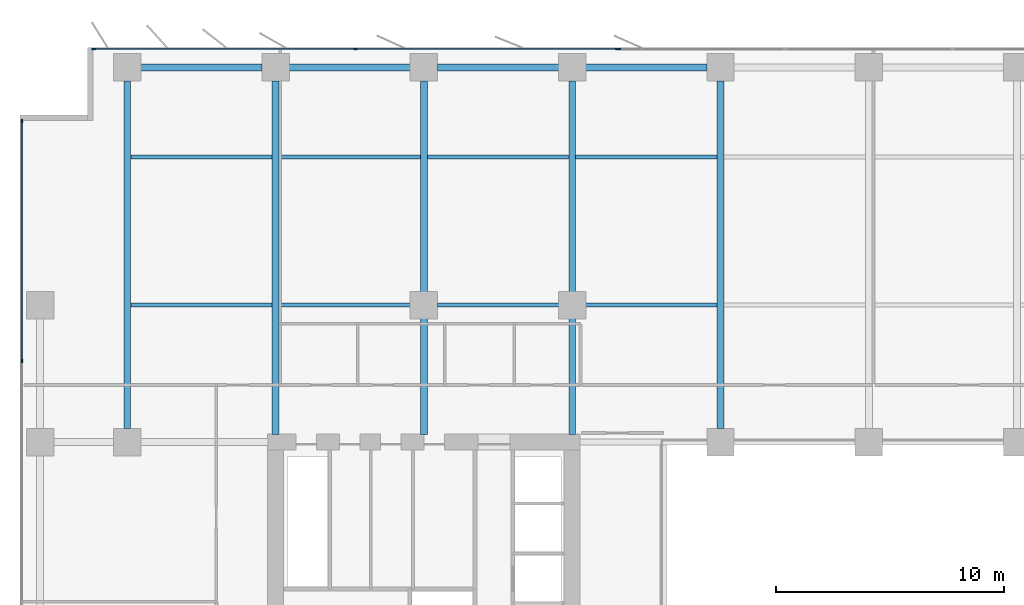
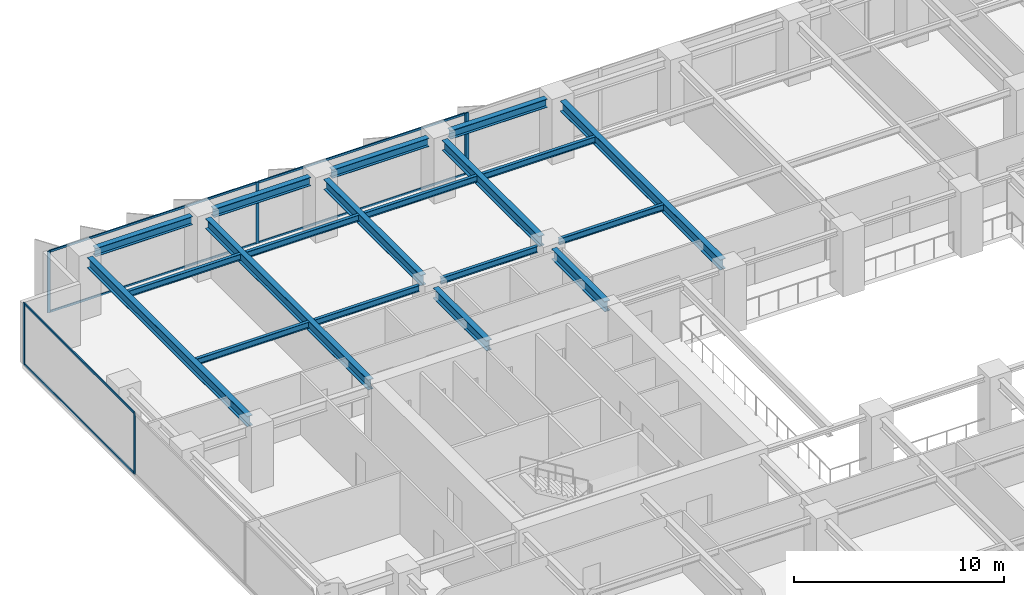
# One storey, part 7 of 20: 19 beams, 12 members, 3 elements without a shape of their own.
"""IFC4 building model written with IfcOpenShell, lengths in metres."""

import ifcopenshell
import ifcopenshell.guid

model = None  # the IFC model being written
_history = None  # IfcOwnerHistory: only IFC2X3 demands one
_inside = {}  # id of a spatial element -> (the spatial element, [elements in it])
_under = {}  # id of a project, library or spatial element -> (it, [spatial elements below it])
_declared = {}  # id of a project -> (the project, [libraries it declares])
_typed = {}  # id of a type object -> (the type object, [elements of that type])
_made_of = {}  # id of a material, layer set ... -> (it, [elements and type objects made of it])


def new_model(schema):
    """Start an empty IFC model of exactly this schema.

    Asked for "IFC4X3", IfcOpenShell would pick the latest addendum, in which some entities
    have other attributes; the version numbers below select the first issue.
    IFC2X3 requires an IfcOwnerHistory on every rooted entity: one is made here for all.
    """
    global model, _history
    if schema == "IFC4X3":
        model = ifcopenshell.file(schema_version=(4, 3, 0, 0))
    else:
        model = ifcopenshell.file(schema=schema)
    _inside.clear()
    _under.clear()
    _declared.clear()
    _typed.clear()
    _made_of.clear()
    _history = None
    if model.schema == "IFC2X3":
        org = make("IfcOrganization", Name="unknown")
        user = make(
            "IfcPersonAndOrganization",
            ThePerson=make("IfcPerson", FamilyName="unknown"),
            TheOrganization=org,
        )
        app = make(
            "IfcApplication",
            ApplicationDeveloper=org,
            Version="unknown",
            ApplicationFullName="unknown",
            ApplicationIdentifier="unknown",
        )
        _history = make(
            "IfcOwnerHistory",
            OwningUser=user,
            OwningApplication=app,
            ChangeAction="ADDED",
            CreationDate=0,
        )
    return model


def make(cls, **values):
    """One entity of the class cls with the attributes given. An attribute that is None is left unset."""
    return model.create_entity(
        cls, **{name: value for name, value in values.items() if value is not None}
    )


def rooted(cls, **values):
    """An entity with a GlobalId (a new one), such as an element, a storey or a relation."""
    return make(cls, GlobalId=ifcopenshell.guid.new(), OwnerHistory=_history, **values)


def si_unit(unit_type, name, prefix=None):
    """IfcSIUnit, for example si_unit("LENGTHUNIT", "METRE", prefix="MILLI")."""
    return make("IfcSIUnit", UnitType=unit_type, Prefix=prefix, Name=name)


def assignment(units):
    """IfcUnitAssignment: the units of a project."""
    return None if units is None else make("IfcUnitAssignment", Units=units)


def point(xyz):
    """IfcCartesianPoint."""
    return None if xyz is None else make("IfcCartesianPoint", Coordinates=xyz)


def direction(xyz):
    """IfcDirection."""
    return None if xyz is None else make("IfcDirection", DirectionRatios=xyz)


def frame(location, z_axis=None, x_axis=None):
    """IfcAxis2Placement3D, a coordinate frame: its origin and axes. An axis left out is left unset."""
    return make(
        "IfcAxis2Placement3D",
        Location=point(location),
        Axis=direction(z_axis),
        RefDirection=direction(x_axis),
    )


def frame_2d(location, x_axis=None):
    """IfcAxis2Placement2D, a coordinate frame in the plane: its origin and x axis."""
    return make(
        "IfcAxis2Placement2D", Location=point(location), RefDirection=direction(x_axis)
    )


def origin():
    """The frame at (0, 0, 0) with its axes left unset."""
    return frame((0.0, 0.0, 0.0))


def origin_2d():
    """The frame at (0, 0) in the plane with its x axis left unset."""
    return frame_2d((0.0, 0.0))


def place(relative_to, where):
    """IfcLocalPlacement: puts the frame where relative to a parent placement (None: the world)."""
    return make(
        "IfcLocalPlacement", PlacementRelTo=relative_to, RelativePlacement=where
    )


def context(
    kind, dimensions, precision=None, world=None, true_north=None, identifier=None
):
    """IfcGeometricRepresentationContext, for example the 3D "Model" context."""
    return make(
        "IfcGeometricRepresentationContext",
        ContextIdentifier=identifier,
        ContextType=kind,
        CoordinateSpaceDimension=dimensions,
        Precision=precision,
        WorldCoordinateSystem=world,
        TrueNorth=true_north,
    )


def subcontext(parent, identifier, kind, view, scale=None):
    """IfcGeometricRepresentationSubContext, for example "Body" below "Model"."""
    return make(
        "IfcGeometricRepresentationSubContext",
        ContextIdentifier=identifier,
        ContextType=kind,
        ParentContext=parent,
        TargetScale=scale,
        TargetView=view,
    )


def project(units=None, contexts=None):
    """IfcProject with its units and contexts."""
    return rooted(
        "IfcProject",
        Name="project",
        RepresentationContexts=contexts,
        UnitsInContext=assignment(units),
    )


def spatial(cls, under=None, at=None, **own):
    """A site, building, storey or space (cls), placed at a placement, below another one or the project."""
    s = rooted(cls, ObjectPlacement=at, **own)
    if under is not None:
        _under.setdefault(under.id(), (under, []))[1].append(s)
    return s


def profile(cls, at=None, kind="AREA", **sizes):
    """A parametric profile (cls). Its sizes go by their IFC names, for example OverallWidth=200.0."""
    return make(cls, ProfileType=kind, Position=at, **sizes)


def rectangle(**sizes):
    """IfcRectangleProfileDef."""
    return profile("IfcRectangleProfileDef", **sizes)


def i_section(**sizes):
    """IfcIShapeProfileDef."""
    return profile("IfcIShapeProfileDef", **sizes)


def extrude(swept, where, along, depth):
    """IfcExtrudedAreaSolid: the profile swept, set in the frame where, extruded along a direction by depth."""
    return make(
        "IfcExtrudedAreaSolid",
        SweptArea=swept,
        Position=where,
        ExtrudedDirection=direction(along),
        Depth=depth,
    )


def shape(context_of_items, identifier, shape_type, items):
    """IfcShapeRepresentation: the items that make up one representation, for example the "Body"."""
    return make(
        "IfcShapeRepresentation",
        ContextOfItems=context_of_items,
        RepresentationIdentifier=identifier,
        RepresentationType=shape_type,
        Items=items,
    )


def material(Name=None, Category=None):
    """IfcMaterial."""
    return make("IfcMaterial", Name=Name, Category=Category)


def layer(
    of_material, thickness, ventilated=None, Name=None, Category=None, Priority=None
):
    """IfcMaterialLayer: one layer of a wall or slab, of a material (None: an air gap)."""
    return make(
        "IfcMaterialLayer",
        Material=of_material,
        LayerThickness=thickness,
        IsVentilated=ventilated,
        Name=Name,
        Category=Category,
        Priority=Priority,
    )


def layer_set(layers, Name=None):
    """IfcMaterialLayerSet."""
    return make("IfcMaterialLayerSet", MaterialLayers=layers, LayerSetName=Name)


def material_profile(
    of_material, cross_section, Name=None, Category=None, Priority=None
):
    """IfcMaterialProfile: a cross section and its material."""
    return make(
        "IfcMaterialProfile",
        Name=Name,
        Material=of_material,
        Profile=cross_section,
        Priority=Priority,
        Category=Category,
    )


def profile_set(profiles, Name=None, composite=None):
    """IfcMaterialProfileSet."""
    return make(
        "IfcMaterialProfileSet",
        Name=Name,
        MaterialProfiles=profiles,
        CompositeProfile=composite,
    )


def made_of(thing, what):
    """Note that an element or type object is made of a material, layer set ...; save() writes the relation."""
    if what is not None:
        _made_of.setdefault(what.id(), (what, []))[1].append(thing)
    return thing


def type_object(cls, material=None, **own):
    """A type object (cls), such as IfcWallType, which elements share."""
    return made_of(rooted(cls, **own), material)


def element(
    cls,
    number,
    at=None,
    inside=None,
    cuts=None,
    type_object=None,
    material=None,
    context=None,
    identifier="Body",
    shape_type=None,
    held_by="IfcProductDefinitionShape",
    body=None,
    shapes=None,
    **own,
):
    """One element of the class cls, such as IfcWall. Its Tag is "e" and its number.

    at: its placement. inside: the storey or other place that contains it. cuts: it is an
    opening in that element (IfcRelVoidsElement). A single representation is given by context,
    identifier, shape_type and body (its items); several are given by shapes. held_by: the class
    of the entity that holds the representations. save() writes the other relations.
    """
    e = rooted(cls, Tag="e%d" % number, ObjectPlacement=at, **own)
    if body is not None:
        shapes = [shape(context, identifier, shape_type, body)]
    if shapes is not None:
        e.Representation = make(held_by, Representations=shapes)
    if inside is not None:
        _inside.setdefault(inside.id(), (inside, []))[1].append(e)
    if cuts is not None:
        rooted(
            "IfcRelVoidsElement", RelatingBuildingElement=cuts, RelatedOpeningElement=e
        )
    if type_object is not None:
        _typed.setdefault(type_object.id(), (type_object, []))[1].append(e)
    return made_of(e, material)


def aggregate(whole, parts):
    """IfcRelAggregates: a whole, such as a stair, and the parts it consists of."""
    return rooted("IfcRelAggregates", RelatingObject=whole, RelatedObjects=parts)


def save(model, path):
    """Write the relations noted so far, then the file.

    IfcRelAggregates (storeys below a building ...), IfcRelContainedInSpatialStructure (elements
    in a storey), IfcRelDefinesByType, IfcRelAssociatesMaterial and IfcRelDeclares: one each for
    every whole, place, type object, material and project.
    """
    for whole, parts in _under.values():
        aggregate(whole, parts)
    for where, things in _inside.values():
        rooted(
            "IfcRelContainedInSpatialStructure",
            RelatedElements=things,
            RelatingStructure=where,
        )
    for kind, things in _typed.values():
        rooted("IfcRelDefinesByType", RelatedObjects=things, RelatingType=kind)
    for what, things in _made_of.values():
        rooted("IfcRelAssociatesMaterial", RelatedObjects=things, RelatingMaterial=what)
    for by, libraries in _declared.values():
        rooted("IfcRelDeclares", RelatingContext=by, RelatedDefinitions=libraries)
    model.write(path)


model = new_model("IFC4")

# Units and contexts
model_context = context("Model", 3, precision=1e-05, world=origin(), true_north=direction((0.0, 1.0)))
body_context = subcontext(model_context, "Body", "Model", "MODEL_VIEW")
ifc_project = project(units=[si_unit("LENGTHUNIT", "METRE"), si_unit("AREAUNIT", "SQUARE_METRE"), si_unit("VOLUMEUNIT", "CUBIC_METRE"), si_unit("PLANEANGLEUNIT", "RADIAN"), si_unit("MASSUNIT", "GRAM", prefix="KILO")], contexts=[model_context])

# Site, building, storey
site_placement = place(None, origin())
site = spatial("IfcSite", under=ifc_project, at=site_placement, CompositionType="ELEMENT")
building_placement = place(site_placement, origin())
building = spatial("IfcBuilding", under=site, at=building_placement, Name="Putna Gate Headquarters", CompositionType="ELEMENT")
storey_placement = place(building_placement, frame((0.0, 0.0, 112.60009765625)))
storey = spatial("IfcBuildingStorey", under=building, at=storey_placement, Name="L27", CompositionType="ELEMENT", Elevation=112.60009765625)

# Beams
ifc_material_1 = material(Name="Steel S355J2", Category="steel")
ifc_material_profile_1 = material_profile(ifc_material_1, i_section(OverallWidth=0.300048828125, OverallDepth=0.60009765625, WebThickness=0.015380859375, FlangeThickness=0.030029296875, at=origin_2d()), Name="Steel S355J2")
ifc_profile_set_1 = profile_set([ifc_material_profile_1], Name="Steel S355J2")
beam_type_1 = type_object("IfcBeamType", Name="BM-GIRD-Z2-HEB600", PredefinedType="USERDEFINED", material=ifc_profile_set_1)
beam_1_placement = place(storey_placement, frame((6.5, 33.587890625, 3.264892578125), z_axis=(0.0, 1.0, 0.0), x_axis=(-1.0, 0.0, 0.0)))
element("IfcBeam", 1, at=beam_1_placement, inside=storey, type_object=beam_type_1, Name="L27 North Primary Girder X6", ObjectType="GIRDER", PredefinedType="USERDEFINED", context=body_context, shape_type="SweptSolid", body=[
    extrude(i_section(OverallWidth=0.300048828125, OverallDepth=0.60009765625, WebThickness=0.015380859375, FlangeThickness=0.030029296875, at=origin_2d()), origin(), (0.0, 0.0, 1.0), 15.244140625),
])
beam_2_placement = place(storey_placement, frame((13.0, 33.3349609375, 3.264892578125), z_axis=(0.0, 1.0, 0.0), x_axis=(-1.0, 0.0, 0.0)))
element("IfcBeam", 2, at=beam_2_placement, inside=storey, type_object=beam_type_1, Name="L27 North Primary Girder X13", ObjectType="GIRDER", PredefinedType="USERDEFINED", context=body_context, shape_type="SweptSolid", body=[
    extrude(i_section(OverallWidth=0.300048828125, OverallDepth=0.60009765625, WebThickness=0.015380859375, FlangeThickness=0.030029296875, at=origin_2d()), origin(), (0.0, 0.0, 1.0), 15.4970703125),
])
beam_3_placement = place(storey_placement, frame((19.5, 33.3349609375, 3.264892578125), z_axis=(0.0, 1.0, 0.0), x_axis=(-1.0, 0.0, 0.0)))
element("IfcBeam", 3, at=beam_3_placement, inside=storey, type_object=beam_type_1, Name="L27 North Primary Girder X19-1", ObjectType="GIRDER", PredefinedType="USERDEFINED", context=body_context, shape_type="SweptSolid", body=[
    extrude(i_section(OverallWidth=0.300048828125, OverallDepth=0.60009765625, WebThickness=0.015380859375, FlangeThickness=0.030029296875, at=origin_2d()), origin(), (0.0, 0.0, 1.0), 5.0771484375),
])
beam_4_placement = place(storey_placement, frame((19.5, 39.587890625, 3.264892578125), z_axis=(0.0, 1.0, 0.0), x_axis=(-1.0, 0.0, 0.0)))
element("IfcBeam", 4, at=beam_4_placement, inside=storey, type_object=beam_type_1, Name="L27 North Primary Girder X19-2", ObjectType="GIRDER", PredefinedType="USERDEFINED", context=body_context, shape_type="SweptSolid", body=[
    extrude(i_section(OverallWidth=0.300048828125, OverallDepth=0.60009765625, WebThickness=0.015380859375, FlangeThickness=0.030029296875, at=origin_2d()), origin(), (0.0, 0.0, 1.0), 9.244140625),
])
beam_5_placement = place(storey_placement, frame((26.0, 33.3349609375, 3.264892578125), z_axis=(0.0, 1.0, 0.0), x_axis=(-1.0, 0.0, 0.0)))
element("IfcBeam", 5, at=beam_5_placement, inside=storey, type_object=beam_type_1, Name="L27 North Primary Girder X26-1", ObjectType="GIRDER", PredefinedType="USERDEFINED", context=body_context, shape_type="SweptSolid", body=[
    extrude(i_section(OverallWidth=0.300048828125, OverallDepth=0.60009765625, WebThickness=0.015380859375, FlangeThickness=0.030029296875, at=origin_2d()), origin(), (0.0, 0.0, 1.0), 5.0771484375),
])
beam_6_placement = place(storey_placement, frame((26.0, 39.587890625, 3.264892578125), z_axis=(0.0, 1.0, 0.0), x_axis=(-1.0, 0.0, 0.0)))
element("IfcBeam", 6, at=beam_6_placement, inside=storey, type_object=beam_type_1, Name="L27 North Primary Girder X26-2", ObjectType="GIRDER", PredefinedType="USERDEFINED", context=body_context, shape_type="SweptSolid", body=[
    extrude(i_section(OverallWidth=0.300048828125, OverallDepth=0.60009765625, WebThickness=0.015380859375, FlangeThickness=0.030029296875, at=origin_2d()), origin(), (0.0, 0.0, 1.0), 9.244140625),
])
beam_7_placement = place(storey_placement, frame((32.5, 33.587890625, 3.264892578125), z_axis=(0.0, 1.0, 0.0), x_axis=(-1.0, 0.0, 0.0)))
element("IfcBeam", 7, at=beam_7_placement, inside=storey, type_object=beam_type_1, Name="L27 North Primary Girder X32", ObjectType="GIRDER", PredefinedType="USERDEFINED", context=body_context, shape_type="SweptSolid", body=[
    extrude(i_section(OverallWidth=0.300048828125, OverallDepth=0.60009765625, WebThickness=0.015380859375, FlangeThickness=0.030029296875, at=origin_2d()), origin(), (0.0, 0.0, 1.0), 15.244140625),
])
ifc_material_profile_2 = material_profile(ifc_material_1, i_section(OverallWidth=0.169921875, OverallDepth=0.360107421875, WebThickness=0.008056640625, FlangeThickness=0.0126953125, at=origin_2d()), Name="Steel S355J2")
ifc_profile_set_2 = profile_set([ifc_material_profile_2], Name="Steel S355J2")
beam_type_2 = type_object("IfcBeamType", Name="BM-SEC-Z2-IPE360", PredefinedType="BEAM", material=ifc_profile_set_2)
for number, where, z_axis, x_axis, name in (
    (8, (6.654052734375, 39.0, 3.385009765625), (1.0, 0.0, 0.0), (0.0, 1.0, 0.0), "L27 North Secondary Beam 1"),
    (9, (6.654052734375, 45.5, 3.385009765625), (1.0, 0.0, 0.0), (0.0, 1.0, 0.0), "L27 North Secondary Beam 1"),
):
    element("IfcBeam", number, at=place(storey_placement, frame(where, z_axis=z_axis, x_axis=x_axis)), inside=storey, type_object=beam_type_2, Name=name, PredefinedType="BEAM", context=body_context, shape_type="SweptSolid", body=[
        extrude(i_section(OverallWidth=0.169921875, OverallDepth=0.360107421875, WebThickness=0.008056640625, FlangeThickness=0.0126953125, at=origin_2d()), origin(), (0.0, 0.0, 1.0), 6.19189453125),
    ])
beam_8_placement = place(storey_placement, frame((13.154052734375, 39.0, 3.385009765625), z_axis=(1.0, 0.0, 0.0), x_axis=(0.0, 1.0, 0.0)))
element("IfcBeam", 10, at=beam_8_placement, inside=storey, type_object=beam_type_2, Name="L27 North Secondary Beam 2", PredefinedType="BEAM", context=body_context, shape_type="SweptSolid", body=[
    extrude(i_section(OverallWidth=0.169921875, OverallDepth=0.360107421875, WebThickness=0.008056640625, FlangeThickness=0.0126953125, at=origin_2d()), origin(), (0.0, 0.0, 1.0), 5.758056640625),
])
beam_9_placement = place(storey_placement, frame((13.154052734375, 45.5, 3.385009765625), z_axis=(1.0, 0.0, 0.0), x_axis=(0.0, 1.0, 0.0)))
element("IfcBeam", 11, at=beam_9_placement, inside=storey, type_object=beam_type_2, Name="L27 North Secondary Beam 2", PredefinedType="BEAM", context=body_context, shape_type="SweptSolid", body=[
    extrude(i_section(OverallWidth=0.169921875, OverallDepth=0.360107421875, WebThickness=0.008056640625, FlangeThickness=0.0126953125, at=origin_2d()), origin(), (0.0, 0.0, 1.0), 6.19189453125),
])
beam_10_placement = place(storey_placement, frame((20.087890625, 39.0, 3.385009765625), z_axis=(1.0, 0.0, 0.0), x_axis=(0.0, 1.0, 0.0)))
element("IfcBeam", 12, at=beam_10_placement, inside=storey, type_object=beam_type_2, Name="L27 North Secondary Beam 3", PredefinedType="BEAM", context=body_context, shape_type="SweptSolid", body=[
    extrude(i_section(OverallWidth=0.169921875, OverallDepth=0.360107421875, WebThickness=0.008056640625, FlangeThickness=0.0126953125, at=origin_2d()), origin(), (0.0, 0.0, 1.0), 5.32421875),
])
beam_11_placement = place(storey_placement, frame((19.654052734375, 45.5, 3.385009765625), z_axis=(1.0, 0.0, 0.0), x_axis=(0.0, 1.0, 0.0)))
element("IfcBeam", 13, at=beam_11_placement, inside=storey, type_object=beam_type_2, Name="L27 North Secondary Beam 3", PredefinedType="BEAM", context=body_context, shape_type="SweptSolid", body=[
    extrude(i_section(OverallWidth=0.169921875, OverallDepth=0.360107421875, WebThickness=0.008056640625, FlangeThickness=0.0126953125, at=origin_2d()), origin(), (0.0, 0.0, 1.0), 6.19189453125),
])
beam_12_placement = place(storey_placement, frame((26.587890625, 39.0, 3.385009765625), z_axis=(1.0, 0.0, 0.0), x_axis=(0.0, 1.0, 0.0)))
element("IfcBeam", 14, at=beam_12_placement, inside=storey, type_object=beam_type_2, Name="L27 North Secondary Beam 4", PredefinedType="BEAM", context=body_context, shape_type="SweptSolid", body=[
    extrude(i_section(OverallWidth=0.169921875, OverallDepth=0.360107421875, WebThickness=0.008056640625, FlangeThickness=0.0126953125, at=origin_2d()), origin(), (0.0, 0.0, 1.0), 5.758056640625),
])
beam_13_placement = place(storey_placement, frame((26.154052734375, 45.5, 3.385009765625), z_axis=(1.0, 0.0, 0.0), x_axis=(0.0, 1.0, 0.0)))
element("IfcBeam", 15, at=beam_13_placement, inside=storey, type_object=beam_type_2, Name="L27 North Secondary Beam 4", PredefinedType="BEAM", context=body_context, shape_type="SweptSolid", body=[
    extrude(i_section(OverallWidth=0.169921875, OverallDepth=0.360107421875, WebThickness=0.008056640625, FlangeThickness=0.0126953125, at=origin_2d()), origin(), (0.0, 0.0, 1.0), 6.19189453125),
])
ifc_material_profile_3 = material_profile(ifc_material_1, i_section(OverallWidth=0.300048828125, OverallDepth=0.489990234375, WebThickness=0.011962890625, FlangeThickness=0.02294921875, at=origin_2d()), Name="Steel S355J2")
ifc_profile_set_3 = profile_set([ifc_material_profile_3], Name="Steel S355J2")
beam_type_3 = type_object("IfcBeamType", Name="BM-SPAN-Z2-HEA500", PredefinedType="SPANDREL", material=ifc_profile_set_3)
for number, where, z_axis, x_axis, name in (
    (16, (7.087890625, 49.419921875, 3.31982421875), (1.0, 0.0, 0.0), (0.0, 1.0, 0.0), "L27 N Perimeter Spandrel 1"),
    (17, (13.587890625, 49.419921875, 3.31982421875), (1.0, 0.0, 0.0), (0.0, 1.0, 0.0), "L27 N Perimeter Spandrel 2"),
    (18, (20.087890625, 49.419921875, 3.31982421875), (1.0, 0.0, 0.0), (0.0, 1.0, 0.0), "L27 N Perimeter Spandrel 3"),
    (19, (26.587890625, 49.419921875, 3.31982421875), (1.0, 0.0, 0.0), (0.0, 1.0, 0.0), "L27 N Perimeter Spandrel 4"),
):
    element("IfcBeam", number, at=place(storey_placement, frame(where, z_axis=z_axis, x_axis=x_axis)), inside=storey, type_object=beam_type_3, Name=name, PredefinedType="SPANDREL", context=body_context, shape_type="SweptSolid", body=[
        extrude(i_section(OverallWidth=0.300048828125, OverallDepth=0.489990234375, WebThickness=0.011962890625, FlangeThickness=0.02294921875, at=origin_2d()), origin(), (0.0, 0.0, 1.0), 5.32421875),
    ])

# Curtain wall, members
ifc_material_2 = material(Name="Anodised bronze aluminium curtain wall", Category="aluminium")
ifc_layer_1 = layer(ifc_material_2, 0.159912109375)
ifc_layer_set_1 = layer_set([ifc_layer_1], Name="Anodised bronze aluminium curtain wall")
curtain_wall_type_1 = type_object("IfcCurtainWallType", Name="CW-SYS-Z2", PredefinedType="USERDEFINED", material=ifc_layer_set_1)
curtain_wall_1_placement = place(storey_placement, origin())
curtain_wall_1 = element("IfcCurtainWall", 20, at=curtain_wall_1_placement, inside=storey, type_object=curtain_wall_type_1, Name="L27 North West Curtain Wall", ObjectType="STICK CURTAIN WALL", PredefinedType="USERDEFINED")
ifc_material_3 = material(Name="Anodised bronze aluminium EN AW-6060", Category="aluminium")
ifc_material_profile_4 = material_profile(ifc_material_3, rectangle(XDim=0.06494140625, YDim=0.159912109375, at=origin_2d()), Name="Anodised bronze aluminium EN AW-6060")
ifc_profile_set_4 = profile_set([ifc_material_profile_4], Name="Anodised bronze aluminium EN AW-6060")
member_type_1 = type_object("IfcMemberType", Name="MULL-CWM-2", PredefinedType="MULLION", material=ifc_profile_set_4)
member_1_placement = place(storey_placement, frame((5.032470703125, 50.219970703125, 0.0), z_axis=(0.0, 0.0, 1.0), x_axis=(0.0, 1.0, 0.0)))
member_1 = element("IfcMember", 21, at=member_1_placement, type_object=member_type_1, Name="CWS-2 mullion 1", PredefinedType="MULLION", context=body_context, shape_type="SweptSolid", body=[
    extrude(rectangle(XDim=0.06494140625, YDim=0.159912109375, at=origin_2d()), origin(), (0.0, 0.0, 1.0), 3.56494140625),
])
member_2_placement = place(storey_placement, frame((16.5, 50.219970703125, 0.0), z_axis=(0.0, 0.0, 1.0), x_axis=(0.0, 1.0, 0.0)))
member_2 = element("IfcMember", 22, at=member_2_placement, type_object=member_type_1, Name="CWS-2 mullion 2", PredefinedType="MULLION", context=body_context, shape_type="SweptSolid", body=[
    extrude(rectangle(XDim=0.06494140625, YDim=0.159912109375, at=origin_2d()), origin(), (0.0, 0.0, 1.0), 3.56494140625),
])
member_3_placement = place(storey_placement, frame((27.967529296875, 50.219970703125, 0.0), z_axis=(0.0, 0.0, 1.0), x_axis=(0.0, 1.0, 0.0)))
member_3 = element("IfcMember", 23, at=member_3_placement, type_object=member_type_1, Name="CWS-2 mullion 3", PredefinedType="MULLION", context=body_context, shape_type="SweptSolid", body=[
    extrude(rectangle(XDim=0.06494140625, YDim=0.159912109375, at=origin_2d()), origin(), (0.0, 0.0, 1.0), 3.56494140625),
])

curtain_wall_2_placement = place(storey_placement, origin())
curtain_wall_2 = element("IfcCurtainWall", 24, at=curtain_wall_2_placement, inside=storey, type_object=curtain_wall_type_1, Name="L27 West Curtain Wall", ObjectType="STICK CURTAIN WALL", PredefinedType="USERDEFINED")
member_4_placement = place(storey_placement, frame((1.8798828125, 36.550048828125, 0.0), z_axis=(0.0, 0.0, 1.0), x_axis=(-1.0, 0.0, 0.0)))
member_4 = element("IfcMember", 25, at=member_4_placement, type_object=member_type_1, Name="CWS-2 mullion 4", PredefinedType="MULLION", context=body_context, shape_type="SweptSolid", body=[
    extrude(rectangle(XDim=0.06494140625, YDim=0.159912109375, at=origin_2d()), origin(), (0.0, 0.0, 1.0), 3.56494140625),
])
member_5_placement = place(storey_placement, frame((1.8798828125, 47.0673828125, 0.0), z_axis=(0.0, 0.0, 1.0), x_axis=(-1.0, 0.0, 0.0)))
member_5 = element("IfcMember", 26, at=member_5_placement, type_object=member_type_1, Name="CWS-2 mullion 5", PredefinedType="MULLION", context=body_context, shape_type="SweptSolid", body=[
    extrude(rectangle(XDim=0.06494140625, YDim=0.159912109375, at=origin_2d()), origin(), (0.0, 0.0, 1.0), 3.56494140625),
])

# Curtain wall, member
ifc_layer_2 = layer(ifc_material_2, 0.179931640625)
ifc_layer_set_2 = layer_set([ifc_layer_2], Name="Anodised bronze aluminium curtain wall")
curtain_wall_type_2 = type_object("IfcCurtainWallType", Name="CW-SYS-ATR", PredefinedType="USERDEFINED", material=ifc_layer_set_2)
curtain_wall_3_placement = place(storey_placement, origin())
curtain_wall_3 = element("IfcCurtainWall", 27, at=curtain_wall_3_placement, inside=storey, type_object=curtain_wall_type_2, Name="L27 North Atrium Clear Glazing", ObjectType="ATRIUM GLAZING", PredefinedType="USERDEFINED")
ifc_material_profile_5 = material_profile(ifc_material_3, rectangle(XDim=0.070068359375, YDim=0.179931640625, at=origin_2d()), Name="Anodised bronze aluminium EN AW-6060")
ifc_profile_set_5 = profile_set([ifc_material_profile_5], Name="Anodised bronze aluminium EN AW-6060")
member_type_2 = type_object("IfcMemberType", Name="MULL-CWM-AT", PredefinedType="MULLION", material=ifc_profile_set_5)
member_6_placement = place(storey_placement, frame((28.034912109375, 50.219970703125, 0.0), z_axis=(0.0, 0.0, 1.0), x_axis=(0.0, 1.0, 0.0)))
member_6 = element("IfcMember", 28, at=member_6_placement, type_object=member_type_2, Name="CWS-AT mullion 1", PredefinedType="MULLION", context=body_context, shape_type="SweptSolid", body=[
    extrude(rectangle(XDim=0.070068359375, YDim=0.179931640625, at=origin_2d()), origin(), (0.0, 0.0, 1.0), 3.56494140625),
])
aggregate(curtain_wall_3, [member_6])

# Member
ifc_material_profile_6 = material_profile(ifc_material_3, rectangle(XDim=0.06494140625, YDim=0.1201171875, at=origin_2d()), Name="Anodised bronze aluminium EN AW-6060")
ifc_profile_set_6 = profile_set([ifc_material_profile_6], Name="Anodised bronze aluminium EN AW-6060")
member_type_3 = type_object("IfcMemberType", Name="TRAN-CWT-2", PredefinedType="USERDEFINED", material=ifc_profile_set_6)
member_7_placement = place(storey_placement, frame((5.06494140625, 50.219970703125, 0.032470703125), z_axis=(1.0, 0.0, 0.0), x_axis=(0.0, 1.0, 0.0)))
member_7 = element("IfcMember", 29, at=member_7_placement, type_object=member_type_3, Name="CWS-2 transom 1.1", ObjectType="TRANSOM", PredefinedType="USERDEFINED", context=body_context, shape_type="SweptSolid", body=[
    extrude(rectangle(XDim=0.06494140625, YDim=0.1201171875, at=origin_2d()), origin(), (0.0, 0.0, 1.0), 11.402587890625),
])

member_8_placement = place(storey_placement, frame((5.06494140625, 50.219970703125, 3.532470703125), z_axis=(1.0, 0.0, 0.0), x_axis=(0.0, 1.0, 0.0)))
member_8 = element("IfcMember", 30, at=member_8_placement, type_object=member_type_3, Name="CWS-2 transom 1.2", ObjectType="TRANSOM", PredefinedType="USERDEFINED", context=body_context, shape_type="SweptSolid", body=[
    extrude(rectangle(XDim=0.06494140625, YDim=0.1201171875, at=origin_2d()), origin(), (0.0, 0.0, 1.0), 11.402587890625),
])

member_9_placement = place(storey_placement, frame((16.532470703125, 50.219970703125, 0.032470703125), z_axis=(1.0, 0.0, 0.0), x_axis=(0.0, 1.0, 0.0)))
member_9 = element("IfcMember", 31, at=member_9_placement, type_object=member_type_3, Name="CWS-2 transom 2.1", ObjectType="TRANSOM", PredefinedType="USERDEFINED", context=body_context, shape_type="SweptSolid", body=[
    extrude(rectangle(XDim=0.06494140625, YDim=0.1201171875, at=origin_2d()), origin(), (0.0, 0.0, 1.0), 11.402587890625),
])

member_10_placement = place(storey_placement, frame((16.532470703125, 50.219970703125, 3.532470703125), z_axis=(1.0, 0.0, 0.0), x_axis=(0.0, 1.0, 0.0)))
member_10 = element("IfcMember", 32, at=member_10_placement, type_object=member_type_3, Name="CWS-2 transom 2.2", ObjectType="TRANSOM", PredefinedType="USERDEFINED", context=body_context, shape_type="SweptSolid", body=[
    extrude(rectangle(XDim=0.06494140625, YDim=0.1201171875, at=origin_2d()), origin(), (0.0, 0.0, 1.0), 11.402587890625),
])

aggregate(curtain_wall_1, [member_1, member_2, member_3, member_7, member_8, member_9, member_10])

member_11_placement = place(storey_placement, frame((1.8798828125, 36.58251953125, 0.032470703125), z_axis=(0.0, 1.0, 0.0), x_axis=(-1.0, 0.0, 0.0)))
member_11 = element("IfcMember", 33, at=member_11_placement, type_object=member_type_3, Name="CWS-2 transom 4.1", ObjectType="TRANSOM", PredefinedType="USERDEFINED", context=body_context, shape_type="SweptSolid", body=[
    extrude(rectangle(XDim=0.06494140625, YDim=0.1201171875, at=origin_2d()), origin(), (0.0, 0.0, 1.0), 10.452392578125),
])

member_12_placement = place(storey_placement, frame((1.8798828125, 36.58251953125, 3.532470703125), z_axis=(0.0, 1.0, 0.0), x_axis=(-1.0, 0.0, 0.0)))
member_12 = element("IfcMember", 34, at=member_12_placement, type_object=member_type_3, Name="CWS-2 transom 4.2", ObjectType="TRANSOM", PredefinedType="USERDEFINED", context=body_context, shape_type="SweptSolid", body=[
    extrude(rectangle(XDim=0.06494140625, YDim=0.1201171875, at=origin_2d()), origin(), (0.0, 0.0, 1.0), 10.452392578125),
])

aggregate(curtain_wall_2, [member_4, member_5, member_11, member_12])

save(model, "model.ifc")
